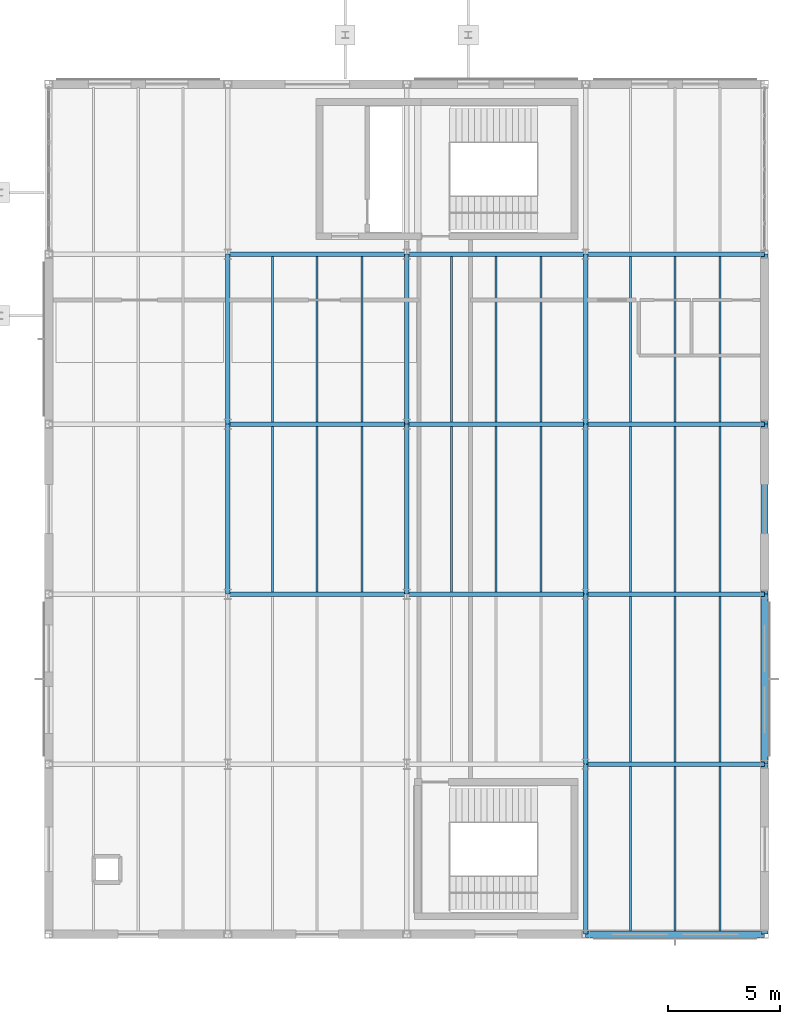
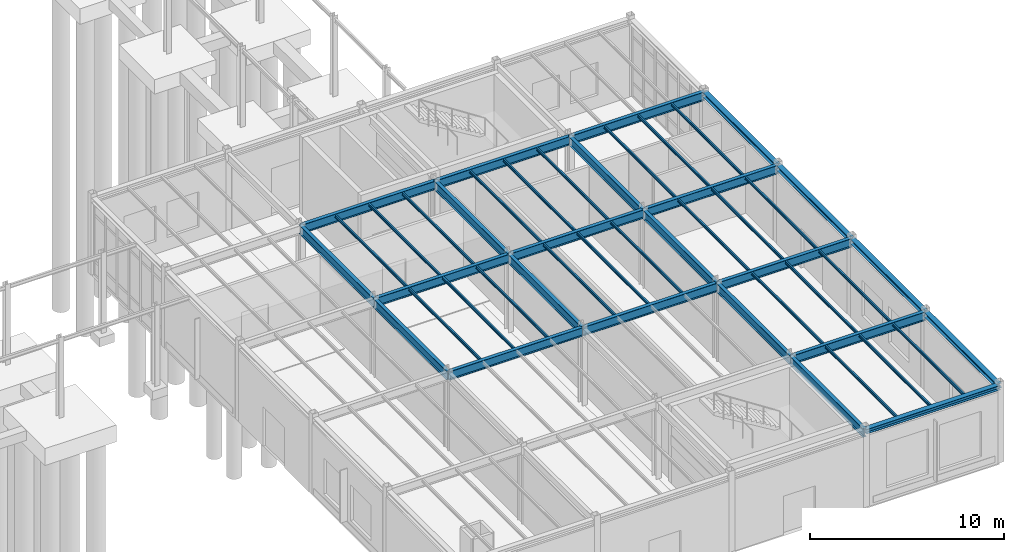
# One storey, part 65 of 109: 47 beams.
"""IFC4 building model written with IfcOpenShell, lengths in metres."""

import ifcopenshell
import ifcopenshell.guid

model = None  # the IFC model being written
_history = None  # IfcOwnerHistory: only IFC2X3 demands one
_inside = {}  # id of a spatial element -> (the spatial element, [elements in it])
_under = {}  # id of a project, library or spatial element -> (it, [spatial elements below it])
_declared = {}  # id of a project -> (the project, [libraries it declares])
_typed = {}  # id of a type object -> (the type object, [elements of that type])
_made_of = {}  # id of a material, layer set ... -> (it, [elements and type objects made of it])


def new_model(schema):
    """Start an empty IFC model of exactly this schema.

    Asked for "IFC4X3", IfcOpenShell would pick the latest addendum, in which some entities
    have other attributes; the version numbers below select the first issue.
    IFC2X3 requires an IfcOwnerHistory on every rooted entity: one is made here for all.
    """
    global model, _history
    if schema == "IFC4X3":
        model = ifcopenshell.file(schema_version=(4, 3, 0, 0))
    else:
        model = ifcopenshell.file(schema=schema)
    _inside.clear()
    _under.clear()
    _declared.clear()
    _typed.clear()
    _made_of.clear()
    _history = None
    if model.schema == "IFC2X3":
        org = make("IfcOrganization", Name="unknown")
        user = make(
            "IfcPersonAndOrganization",
            ThePerson=make("IfcPerson", FamilyName="unknown"),
            TheOrganization=org,
        )
        app = make(
            "IfcApplication",
            ApplicationDeveloper=org,
            Version="unknown",
            ApplicationFullName="unknown",
            ApplicationIdentifier="unknown",
        )
        _history = make(
            "IfcOwnerHistory",
            OwningUser=user,
            OwningApplication=app,
            ChangeAction="ADDED",
            CreationDate=0,
        )
    return model


def make(cls, **values):
    """One entity of the class cls with the attributes given. An attribute that is None is left unset."""
    return model.create_entity(
        cls, **{name: value for name, value in values.items() if value is not None}
    )


def rooted(cls, **values):
    """An entity with a GlobalId (a new one), such as an element, a storey or a relation."""
    return make(cls, GlobalId=ifcopenshell.guid.new(), OwnerHistory=_history, **values)


def si_unit(unit_type, name, prefix=None):
    """IfcSIUnit, for example si_unit("LENGTHUNIT", "METRE", prefix="MILLI")."""
    return make("IfcSIUnit", UnitType=unit_type, Prefix=prefix, Name=name)


def assignment(units):
    """IfcUnitAssignment: the units of a project."""
    return None if units is None else make("IfcUnitAssignment", Units=units)


def point(xyz):
    """IfcCartesianPoint."""
    return None if xyz is None else make("IfcCartesianPoint", Coordinates=xyz)


def direction(xyz):
    """IfcDirection."""
    return None if xyz is None else make("IfcDirection", DirectionRatios=xyz)


def frame(location, z_axis=None, x_axis=None):
    """IfcAxis2Placement3D, a coordinate frame: its origin and axes. An axis left out is left unset."""
    return make(
        "IfcAxis2Placement3D",
        Location=point(location),
        Axis=direction(z_axis),
        RefDirection=direction(x_axis),
    )


def frame_2d(location, x_axis=None):
    """IfcAxis2Placement2D, a coordinate frame in the plane: its origin and x axis."""
    return make(
        "IfcAxis2Placement2D", Location=point(location), RefDirection=direction(x_axis)
    )


def origin():
    """The frame at (0, 0, 0) with its axes left unset."""
    return frame((0.0, 0.0, 0.0))


def origin_2d():
    """The frame at (0, 0) in the plane with its x axis left unset."""
    return frame_2d((0.0, 0.0))


def place(relative_to, where):
    """IfcLocalPlacement: puts the frame where relative to a parent placement (None: the world)."""
    return make(
        "IfcLocalPlacement", PlacementRelTo=relative_to, RelativePlacement=where
    )


def context(
    kind, dimensions, precision=None, world=None, true_north=None, identifier=None
):
    """IfcGeometricRepresentationContext, for example the 3D "Model" context."""
    return make(
        "IfcGeometricRepresentationContext",
        ContextIdentifier=identifier,
        ContextType=kind,
        CoordinateSpaceDimension=dimensions,
        Precision=precision,
        WorldCoordinateSystem=world,
        TrueNorth=true_north,
    )


def subcontext(parent, identifier, kind, view, scale=None):
    """IfcGeometricRepresentationSubContext, for example "Body" below "Model"."""
    return make(
        "IfcGeometricRepresentationSubContext",
        ContextIdentifier=identifier,
        ContextType=kind,
        ParentContext=parent,
        TargetScale=scale,
        TargetView=view,
    )


def project(units=None, contexts=None):
    """IfcProject with its units and contexts."""
    return rooted(
        "IfcProject",
        Name="project",
        RepresentationContexts=contexts,
        UnitsInContext=assignment(units),
    )


def spatial(cls, under=None, at=None, **own):
    """A site, building, storey or space (cls), placed at a placement, below another one or the project."""
    s = rooted(cls, ObjectPlacement=at, **own)
    if under is not None:
        _under.setdefault(under.id(), (under, []))[1].append(s)
    return s


def profile(cls, at=None, kind="AREA", **sizes):
    """A parametric profile (cls). Its sizes go by their IFC names, for example OverallWidth=200.0."""
    return make(cls, ProfileType=kind, Position=at, **sizes)


def i_section(**sizes):
    """IfcIShapeProfileDef."""
    return profile("IfcIShapeProfileDef", **sizes)


def extrude(swept, where, along, depth):
    """IfcExtrudedAreaSolid: the profile swept, set in the frame where, extruded along a direction by depth."""
    return make(
        "IfcExtrudedAreaSolid",
        SweptArea=swept,
        Position=where,
        ExtrudedDirection=direction(along),
        Depth=depth,
    )


def shape(context_of_items, identifier, shape_type, items):
    """IfcShapeRepresentation: the items that make up one representation, for example the "Body"."""
    return make(
        "IfcShapeRepresentation",
        ContextOfItems=context_of_items,
        RepresentationIdentifier=identifier,
        RepresentationType=shape_type,
        Items=items,
    )


def material(Name=None, Category=None):
    """IfcMaterial."""
    return make("IfcMaterial", Name=Name, Category=Category)


def material_profile(
    of_material, cross_section, Name=None, Category=None, Priority=None
):
    """IfcMaterialProfile: a cross section and its material."""
    return make(
        "IfcMaterialProfile",
        Name=Name,
        Material=of_material,
        Profile=cross_section,
        Priority=Priority,
        Category=Category,
    )


def profile_set(profiles, Name=None, composite=None):
    """IfcMaterialProfileSet."""
    return make(
        "IfcMaterialProfileSet",
        Name=Name,
        MaterialProfiles=profiles,
        CompositeProfile=composite,
    )


def made_of(thing, what):
    """Note that an element or type object is made of a material, layer set ...; save() writes the relation."""
    if what is not None:
        _made_of.setdefault(what.id(), (what, []))[1].append(thing)
    return thing


def type_object(cls, material=None, **own):
    """A type object (cls), such as IfcWallType, which elements share."""
    return made_of(rooted(cls, **own), material)


def element(
    cls,
    number,
    at=None,
    inside=None,
    cuts=None,
    type_object=None,
    material=None,
    context=None,
    identifier="Body",
    shape_type=None,
    held_by="IfcProductDefinitionShape",
    body=None,
    shapes=None,
    **own,
):
    """One element of the class cls, such as IfcWall. Its Tag is "e" and its number.

    at: its placement. inside: the storey or other place that contains it. cuts: it is an
    opening in that element (IfcRelVoidsElement). A single representation is given by context,
    identifier, shape_type and body (its items); several are given by shapes. held_by: the class
    of the entity that holds the representations. save() writes the other relations.
    """
    e = rooted(cls, Tag="e%d" % number, ObjectPlacement=at, **own)
    if body is not None:
        shapes = [shape(context, identifier, shape_type, body)]
    if shapes is not None:
        e.Representation = make(held_by, Representations=shapes)
    if inside is not None:
        _inside.setdefault(inside.id(), (inside, []))[1].append(e)
    if cuts is not None:
        rooted(
            "IfcRelVoidsElement", RelatingBuildingElement=cuts, RelatedOpeningElement=e
        )
    if type_object is not None:
        _typed.setdefault(type_object.id(), (type_object, []))[1].append(e)
    return made_of(e, material)


def aggregate(whole, parts):
    """IfcRelAggregates: a whole, such as a stair, and the parts it consists of."""
    return rooted("IfcRelAggregates", RelatingObject=whole, RelatedObjects=parts)


def save(model, path):
    """Write the relations noted so far, then the file.

    IfcRelAggregates (storeys below a building ...), IfcRelContainedInSpatialStructure (elements
    in a storey), IfcRelDefinesByType, IfcRelAssociatesMaterial and IfcRelDeclares: one each for
    every whole, place, type object, material and project.
    """
    for whole, parts in _under.values():
        aggregate(whole, parts)
    for where, things in _inside.values():
        rooted(
            "IfcRelContainedInSpatialStructure",
            RelatedElements=things,
            RelatingStructure=where,
        )
    for kind, things in _typed.values():
        rooted("IfcRelDefinesByType", RelatedObjects=things, RelatingType=kind)
    for what, things in _made_of.values():
        rooted("IfcRelAssociatesMaterial", RelatedObjects=things, RelatingMaterial=what)
    for by, libraries in _declared.values():
        rooted("IfcRelDeclares", RelatingContext=by, RelatedDefinitions=libraries)
    model.write(path)


model = new_model("IFC4")

# Units and contexts
model_context = context("Model", 3, precision=1e-05, world=origin(), true_north=direction((0.0, 1.0)))
body_context = subcontext(model_context, "Body", "Model", "MODEL_VIEW")
ifc_project = project(units=[si_unit("LENGTHUNIT", "METRE"), si_unit("AREAUNIT", "SQUARE_METRE"), si_unit("VOLUMEUNIT", "CUBIC_METRE"), si_unit("PLANEANGLEUNIT", "RADIAN"), si_unit("MASSUNIT", "GRAM", prefix="KILO")], contexts=[model_context])

# Site, building, storey
site_placement = place(None, origin())
site = spatial("IfcSite", under=ifc_project, at=site_placement, CompositionType="ELEMENT")
building_placement = place(site_placement, origin())
building = spatial("IfcBuilding", under=site, at=building_placement, Name="Montecoro Central Library", CompositionType="ELEMENT")
storey_placement = place(building_placement, origin())
storey = spatial("IfcBuildingStorey", under=building, at=storey_placement, Name="L00", CompositionType="ELEMENT", Elevation=0.0)

# Beams
ifc_material_1 = material(Name="Steel S355J2", Category="steel")
ifc_material_profile_1 = material_profile(ifc_material_1, i_section(OverallWidth=0.2099609375, OverallDepth=0.550048828125, WebThickness=0.010986328125, FlangeThickness=0.01708984375, at=origin_2d()), Name="IPE 550")
ifc_profile_set_1 = profile_set([ifc_material_profile_1], Name="Steel S355J2")
beam_type_1 = type_object("IfcBeamType", Name="BM-G-IPE550", PredefinedType="USERDEFINED", material=ifc_profile_set_1)
for number, where, z_axis, x_axis, name in (
    (1, (165.0048828125, 12.60009765625, 4.570068359375), (1.0, 0.0, 0.0), (0.0, 1.0, 0.0), "V6-L00-BX-2122-B"),
    (2, (149.0048828125, 20.199951171875, 4.570068359375), (1.0, 0.0, 0.0), (0.0, 1.0, 0.0), "V6-L00-BX-1920-C"),
    (3, (157.0048828125, 20.199951171875, 4.570068359375), (1.0, 0.0, 0.0), (0.0, 1.0, 0.0), "V6-L00-BX-2021-C"),
    (4, (165.0048828125, 20.199951171875, 4.570068359375), (1.0, 0.0, 0.0), (0.0, 1.0, 0.0), "V6-L00-BX-2122-C"),
    (5, (149.0048828125, 27.800048828125, 4.570068359375), (1.0, 0.0, 0.0), (0.0, 1.0, 0.0), "V6-L00-BX-1920-D"),
    (6, (157.0048828125, 27.800048828125, 4.570068359375), (1.0, 0.0, 0.0), (0.0, 1.0, 0.0), "V6-L00-BX-2021-D"),
    (7, (165.0048828125, 27.800048828125, 4.570068359375), (1.0, 0.0, 0.0), (0.0, 1.0, 0.0), "V6-L00-BX-2122-D"),
    (8, (149.0048828125, 35.39990234375, 4.570068359375), (1.0, 0.0, 0.0), (0.0, 1.0, 0.0), "V6-L00-BX-1920-E"),
    (9, (157.0048828125, 35.39990234375, 4.570068359375), (1.0, 0.0, 0.0), (0.0, 1.0, 0.0), "V6-L00-BX-2021-E"),
    (10, (165.0048828125, 35.39990234375, 4.570068359375), (1.0, 0.0, 0.0), (0.0, 1.0, 0.0), "V6-L00-BX-2122-E"),
):
    element("IfcBeam", number, at=place(storey_placement, frame(where, z_axis=z_axis, x_axis=x_axis)), inside=storey, type_object=beam_type_1, Name=name, ObjectType="GIRDER", PredefinedType="USERDEFINED", context=body_context, shape_type="SweptSolid", body=[
        extrude(i_section(OverallWidth=0.2099609375, OverallDepth=0.550048828125, WebThickness=0.010986328125, FlangeThickness=0.01708984375, at=origin_2d()), origin(), (0.0, 0.0, 1.0), 7.990234375),
    ])
beam_1_placement = place(storey_placement, frame((149.0, 20.205078125, 4.570068359375), z_axis=(0.0, 1.0, 0.0), x_axis=(-1.0, 0.0, 0.0)))
element("IfcBeam", 11, at=beam_1_placement, inside=storey, type_object=beam_type_1, Name="V6-L00-BY-19-CD", ObjectType="GIRDER", PredefinedType="USERDEFINED", context=body_context, shape_type="SweptSolid", body=[
    extrude(i_section(OverallWidth=0.2099609375, OverallDepth=0.550048828125, WebThickness=0.010986328125, FlangeThickness=0.01708984375, at=origin_2d()), origin(), (0.0, 0.0, 1.0), 7.58984375),
])
beam_2_placement = place(storey_placement, frame((149.0, 27.804931640625, 4.570068359375), z_axis=(0.0, 1.0, 0.0), x_axis=(-1.0, 0.0, 0.0)))
element("IfcBeam", 12, at=beam_2_placement, inside=storey, type_object=beam_type_1, Name="V6-L00-BY-19-DE", ObjectType="GIRDER", PredefinedType="USERDEFINED", context=body_context, shape_type="SweptSolid", body=[
    extrude(i_section(OverallWidth=0.2099609375, OverallDepth=0.550048828125, WebThickness=0.010986328125, FlangeThickness=0.01708984375, at=origin_2d()), origin(), (0.0, 0.0, 1.0), 7.590087890625),
])
beam_3_placement = place(storey_placement, frame((157.0, 20.205078125, 4.570068359375), z_axis=(0.0, 1.0, 0.0), x_axis=(-1.0, 0.0, 0.0)))
element("IfcBeam", 13, at=beam_3_placement, inside=storey, type_object=beam_type_1, Name="V6-L00-BY-20-CD", ObjectType="GIRDER", PredefinedType="USERDEFINED", context=body_context, shape_type="SweptSolid", body=[
    extrude(i_section(OverallWidth=0.2099609375, OverallDepth=0.550048828125, WebThickness=0.010986328125, FlangeThickness=0.01708984375, at=origin_2d()), origin(), (0.0, 0.0, 1.0), 7.58984375),
])
for number, where, z_axis, x_axis, name in (
    (14, (157.0, 27.804931640625, 4.570068359375), (0.0, 1.0, 0.0), (-1.0, 0.0, 0.0), "V6-L00-BY-20-DE"),
    (15, (165.0, 5.0048828125, 4.570068359375), (0.0, 1.0, 0.0), (-1.0, 0.0, 0.0), "V6-L00-BY-21-AB"),
    (16, (165.0, 12.60498046875, 4.570068359375), (0.0, 1.0, 0.0), (-1.0, 0.0, 0.0), "V6-L00-BY-21-BC"),
):
    element("IfcBeam", number, at=place(storey_placement, frame(where, z_axis=z_axis, x_axis=x_axis)), inside=storey, type_object=beam_type_1, Name=name, ObjectType="GIRDER", PredefinedType="USERDEFINED", context=body_context, shape_type="SweptSolid", body=[
        extrude(i_section(OverallWidth=0.2099609375, OverallDepth=0.550048828125, WebThickness=0.010986328125, FlangeThickness=0.01708984375, at=origin_2d()), origin(), (0.0, 0.0, 1.0), 7.590087890625),
    ])
beam_4_placement = place(storey_placement, frame((165.0, 20.205078125, 4.570068359375), z_axis=(0.0, 1.0, 0.0), x_axis=(-1.0, 0.0, 0.0)))
element("IfcBeam", 17, at=beam_4_placement, inside=storey, type_object=beam_type_1, Name="V6-L00-BY-21-CD", ObjectType="GIRDER", PredefinedType="USERDEFINED", context=body_context, shape_type="SweptSolid", body=[
    extrude(i_section(OverallWidth=0.2099609375, OverallDepth=0.550048828125, WebThickness=0.010986328125, FlangeThickness=0.01708984375, at=origin_2d()), origin(), (0.0, 0.0, 1.0), 7.58984375),
])
beam_5_placement = place(storey_placement, frame((165.0, 27.804931640625, 4.570068359375), z_axis=(0.0, 1.0, 0.0), x_axis=(-1.0, 0.0, 0.0)))
element("IfcBeam", 18, at=beam_5_placement, inside=storey, type_object=beam_type_1, Name="V6-L00-BY-21-DE", ObjectType="GIRDER", PredefinedType="USERDEFINED", context=body_context, shape_type="SweptSolid", body=[
    extrude(i_section(OverallWidth=0.2099609375, OverallDepth=0.550048828125, WebThickness=0.010986328125, FlangeThickness=0.01708984375, at=origin_2d()), origin(), (0.0, 0.0, 1.0), 7.590087890625),
])
ifc_material_2 = material(Name="Steel S355", Category="steel")
ifc_material_profile_2 = material_profile(ifc_material_2, i_section(OverallWidth=0.091064453125, OverallDepth=0.179931640625, WebThickness=0.00537109375, FlangeThickness=0.008056640625, at=origin_2d()), Name="IPE 180")
ifc_profile_set_2 = profile_set([ifc_material_profile_2], Name="Steel S355")
beam_type_2 = type_object("IfcBeamType", Name="BM-J-IPE180", PredefinedType="JOIST", material=ifc_profile_set_2)
for number, where, z_axis, x_axis, name in (
    (19, (151.0, 20.302001953125, 4.7548828125), (0.0, 1.0, 0.0), (-1.0, 0.0, 0.0), "V6-L00-JS-1920-CD-1"),
    (20, (153.0, 20.302001953125, 4.7548828125), (0.0, 1.0, 0.0), (-1.0, 0.0, 0.0), "V6-L00-JS-1920-CD-2"),
    (21, (155.0, 20.302001953125, 4.7548828125), (0.0, 1.0, 0.0), (-1.0, 0.0, 0.0), "V6-L00-JS-1920-CD-3"),
    (22, (151.0, 27.902099609375, 4.7548828125), (0.0, 1.0, 0.0), (-1.0, 0.0, 0.0), "V6-L00-JS-1920-DE-1"),
    (23, (153.0, 27.902099609375, 4.7548828125), (0.0, 1.0, 0.0), (-1.0, 0.0, 0.0), "V6-L00-JS-1920-DE-2"),
    (24, (155.0, 27.902099609375, 4.7548828125), (0.0, 1.0, 0.0), (-1.0, 0.0, 0.0), "V6-L00-JS-1920-DE-3"),
    (25, (159.0, 20.302001953125, 4.7548828125), (0.0, 1.0, 0.0), (-1.0, 0.0, 0.0), "V6-L00-JS-2021-CD-1"),
    (26, (161.0, 20.302001953125, 4.7548828125), (0.0, 1.0, 0.0), (-1.0, 0.0, 0.0), "V6-L00-JS-2021-CD-2"),
    (27, (163.0, 20.302001953125, 4.7548828125), (0.0, 1.0, 0.0), (-1.0, 0.0, 0.0), "V6-L00-JS-2021-CD-3"),
    (28, (159.0, 27.902099609375, 4.7548828125), (0.0, 1.0, 0.0), (-1.0, 0.0, 0.0), "V6-L00-JS-2021-DE-1"),
    (29, (161.0, 27.902099609375, 4.7548828125), (0.0, 1.0, 0.0), (-1.0, 0.0, 0.0), "V6-L00-JS-2021-DE-2"),
    (30, (163.0, 27.902099609375, 4.7548828125), (0.0, 1.0, 0.0), (-1.0, 0.0, 0.0), "V6-L00-JS-2021-DE-3"),
):
    element("IfcBeam", number, at=place(storey_placement, frame(where, z_axis=z_axis, x_axis=x_axis)), inside=storey, type_object=beam_type_2, Name=name, PredefinedType="JOIST", context=body_context, shape_type="SweptSolid", body=[
        extrude(i_section(OverallWidth=0.091064453125, OverallDepth=0.179931640625, WebThickness=0.00537109375, FlangeThickness=0.008056640625, at=origin_2d()), origin(), (0.0, 0.0, 1.0), 7.39599609375),
    ])
for number, where, z_axis, x_axis, name in (
    (31, (167.0, 5.14697265625, 4.7548828125), (0.0, 1.0, 0.0), (-1.0, 0.0, 0.0), "V6-L00-JS-2122-AB-1"),
    (32, (169.0, 5.14697265625, 4.7548828125), (0.0, 1.0, 0.0), (-1.0, 0.0, 0.0), "V6-L00-JS-2122-AB-2"),
    (33, (171.0, 5.14697265625, 4.7548828125), (0.0, 1.0, 0.0), (-1.0, 0.0, 0.0), "V6-L00-JS-2122-AB-3"),
):
    element("IfcBeam", number, at=place(storey_placement, frame(where, z_axis=z_axis, x_axis=x_axis)), inside=storey, type_object=beam_type_2, Name=name, PredefinedType="JOIST", context=body_context, shape_type="SweptSolid", body=[
        extrude(i_section(OverallWidth=0.091064453125, OverallDepth=0.179931640625, WebThickness=0.00537109375, FlangeThickness=0.008056640625, at=origin_2d()), origin(), (0.0, 0.0, 1.0), 7.35107421875),
    ])
for number, where, z_axis, x_axis, name in (
    (34, (167.0, 12.701904296875, 4.7548828125), (0.0, 1.0, 0.0), (-1.0, 0.0, 0.0), "V6-L00-JS-2122-BC-1"),
    (35, (169.0, 12.701904296875, 4.7548828125), (0.0, 1.0, 0.0), (-1.0, 0.0, 0.0), "V6-L00-JS-2122-BC-2"),
    (36, (171.0, 12.701904296875, 4.7548828125), (0.0, 1.0, 0.0), (-1.0, 0.0, 0.0), "V6-L00-JS-2122-BC-3"),
    (37, (167.0, 20.302001953125, 4.7548828125), (0.0, 1.0, 0.0), (-1.0, 0.0, 0.0), "V6-L00-JS-2122-CD-1"),
    (38, (169.0, 20.302001953125, 4.7548828125), (0.0, 1.0, 0.0), (-1.0, 0.0, 0.0), "V6-L00-JS-2122-CD-2"),
    (39, (171.0, 20.302001953125, 4.7548828125), (0.0, 1.0, 0.0), (-1.0, 0.0, 0.0), "V6-L00-JS-2122-CD-3"),
    (40, (167.0, 27.902099609375, 4.7548828125), (0.0, 1.0, 0.0), (-1.0, 0.0, 0.0), "V6-L00-JS-2122-DE-1"),
    (41, (169.0, 27.902099609375, 4.7548828125), (0.0, 1.0, 0.0), (-1.0, 0.0, 0.0), "V6-L00-JS-2122-DE-2"),
    (42, (171.0, 27.902099609375, 4.7548828125), (0.0, 1.0, 0.0), (-1.0, 0.0, 0.0), "V6-L00-JS-2122-DE-3"),
):
    element("IfcBeam", number, at=place(storey_placement, frame(where, z_axis=z_axis, x_axis=x_axis)), inside=storey, type_object=beam_type_2, Name=name, PredefinedType="JOIST", context=body_context, shape_type="SweptSolid", body=[
        extrude(i_section(OverallWidth=0.091064453125, OverallDepth=0.179931640625, WebThickness=0.00537109375, FlangeThickness=0.008056640625, at=origin_2d()), origin(), (0.0, 0.0, 1.0), 7.39599609375),
    ])
ifc_material_profile_3 = material_profile(ifc_material_2, i_section(OverallWidth=0.300048828125, OverallDepth=0.2900390625, WebThickness=0.008544921875, FlangeThickness=0.013916015625, at=origin_2d()), Name="HEA 300")
ifc_profile_set_3 = profile_set([ifc_material_profile_3], Name="Steel S355")
beam_type_3 = type_object("IfcBeamType", Name="BM-SP-HEA300", PredefinedType="SPANDREL", material=ifc_profile_set_3)
beam_6_placement = place(storey_placement, frame((165.0048828125, 5.0, 4.699951171875), z_axis=(1.0, 0.0, 0.0), x_axis=(0.0, 1.0, 0.0)))
element("IfcBeam", 43, at=beam_6_placement, inside=storey, type_object=beam_type_3, Name="V6-L00-BX-2122-A", PredefinedType="SPANDREL", context=body_context, shape_type="SweptSolid", body=[
    extrude(i_section(OverallWidth=0.300048828125, OverallDepth=0.2900390625, WebThickness=0.008544921875, FlangeThickness=0.013916015625, at=origin_2d()), origin(), (0.0, 0.0, 1.0), 7.990234375),
])
for number, where, z_axis, x_axis, name in (
    (44, (173.0, 5.0048828125, 4.699951171875), (0.0, 1.0, 0.0), (-1.0, 0.0, 0.0), "V6-L00-BY-22-AB"),
    (45, (173.0, 12.60498046875, 4.699951171875), (0.0, 1.0, 0.0), (-1.0, 0.0, 0.0), "V6-L00-BY-22-BC"),
):
    element("IfcBeam", number, at=place(storey_placement, frame(where, z_axis=z_axis, x_axis=x_axis)), inside=storey, type_object=beam_type_3, Name=name, PredefinedType="SPANDREL", context=body_context, shape_type="SweptSolid", body=[
        extrude(i_section(OverallWidth=0.300048828125, OverallDepth=0.2900390625, WebThickness=0.008544921875, FlangeThickness=0.013916015625, at=origin_2d()), origin(), (0.0, 0.0, 1.0), 7.590087890625),
    ])
beam_7_placement = place(storey_placement, frame((173.0, 20.205078125, 4.699951171875), z_axis=(0.0, 1.0, 0.0), x_axis=(-1.0, 0.0, 0.0)))
element("IfcBeam", 46, at=beam_7_placement, inside=storey, type_object=beam_type_3, Name="V6-L00-BY-22-CD", PredefinedType="SPANDREL", context=body_context, shape_type="SweptSolid", body=[
    extrude(i_section(OverallWidth=0.300048828125, OverallDepth=0.2900390625, WebThickness=0.008544921875, FlangeThickness=0.013916015625, at=origin_2d()), origin(), (0.0, 0.0, 1.0), 7.58984375),
])
beam_8_placement = place(storey_placement, frame((173.0, 27.804931640625, 4.699951171875), z_axis=(0.0, 1.0, 0.0), x_axis=(-1.0, 0.0, 0.0)))
element("IfcBeam", 47, at=beam_8_placement, inside=storey, type_object=beam_type_3, Name="V6-L00-BY-22-DE", PredefinedType="SPANDREL", context=body_context, shape_type="SweptSolid", body=[
    extrude(i_section(OverallWidth=0.300048828125, OverallDepth=0.2900390625, WebThickness=0.008544921875, FlangeThickness=0.013916015625, at=origin_2d()), origin(), (0.0, 0.0, 1.0), 7.590087890625),
])

save(model, "model.ifc")
